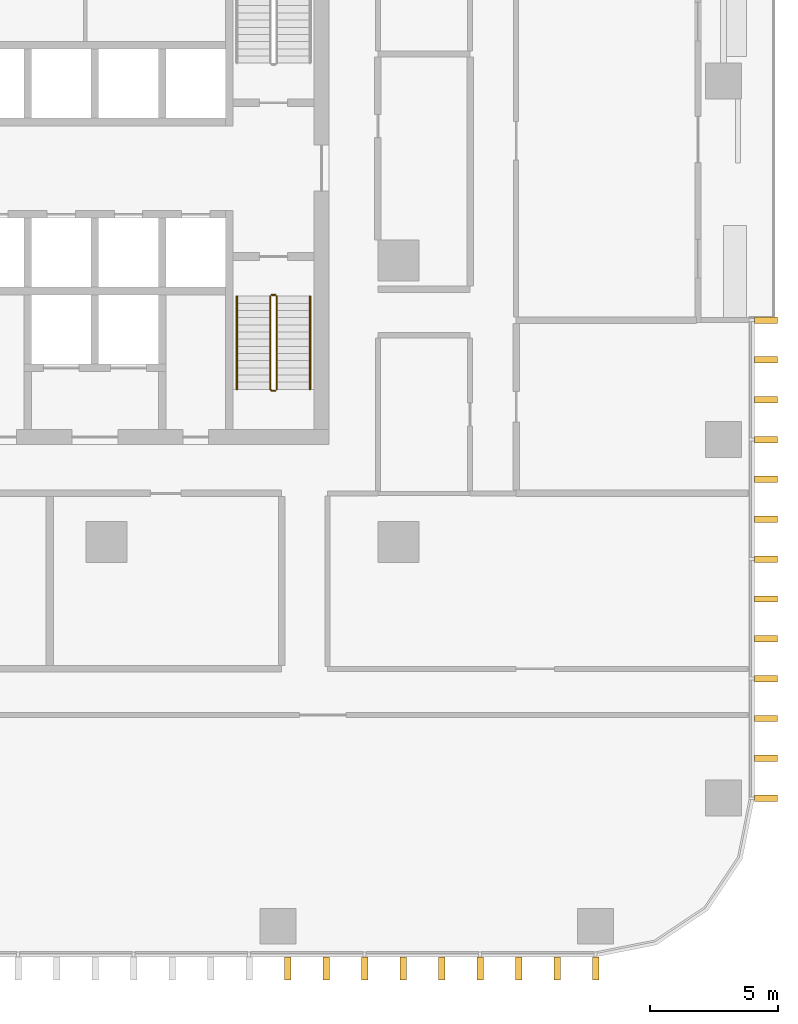
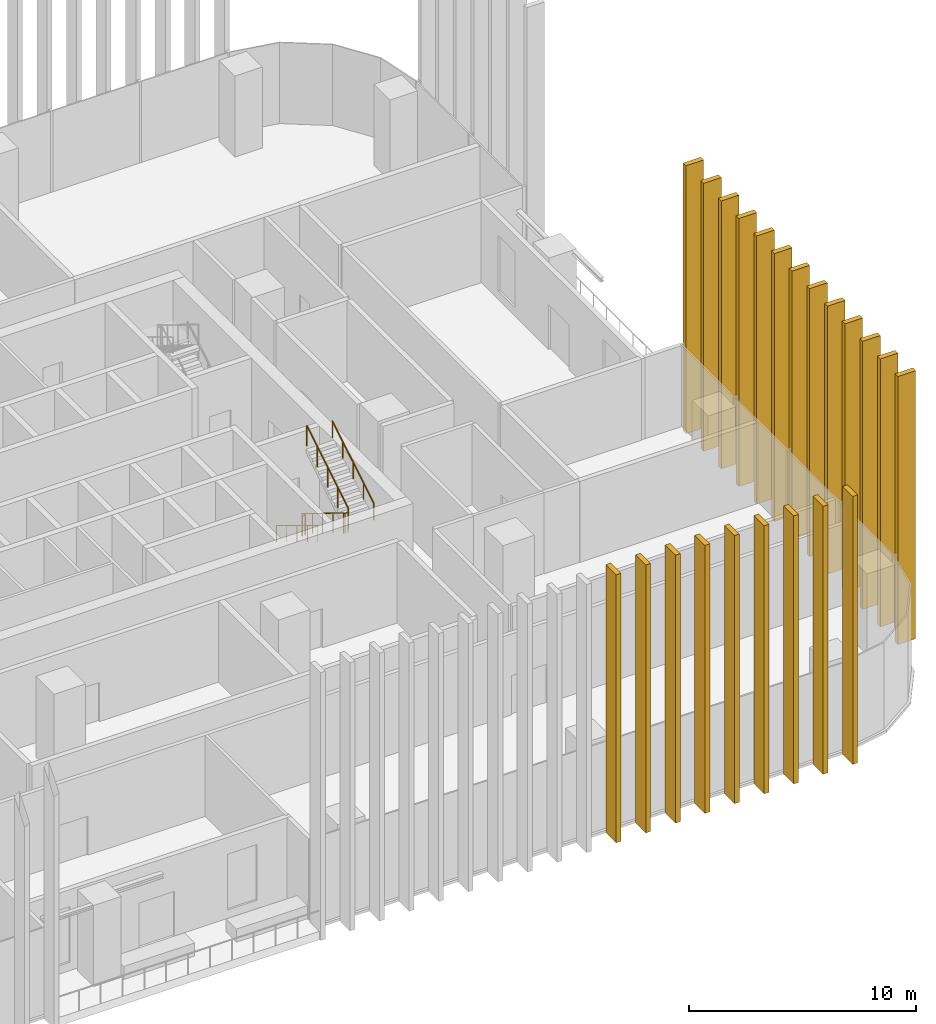
# One storey, part 13 of 16: 22 shading devices, 5 railings.
"""IFC4 building model written with IfcOpenShell, lengths in metres."""

from ifc_helpers import new_model, si_unit, direction, frame, origin, origin_2d, place, context, subcontext, project, spatial, rectangle, circle, extrude, material, type_object, element, save


model = new_model("IFC4")

# Units and contexts
model_context = context("Model", 3, precision=1e-05, world=origin(), true_north=direction((0.0, 1.0)))
body_context = subcontext(model_context, "Body", "Model", "MODEL_VIEW")
ifc_project = project(units=[si_unit("LENGTHUNIT", "METRE"), si_unit("AREAUNIT", "SQUARE_METRE"), si_unit("VOLUMEUNIT", "CUBIC_METRE"), si_unit("PLANEANGLEUNIT", "RADIAN"), si_unit("MASSUNIT", "GRAM", prefix="KILO")], contexts=[model_context])

# Site, building, storey
site_placement = place(None, origin())
site = spatial("IfcSite", under=ifc_project, at=site_placement, CompositionType="ELEMENT")
building_placement = place(site_placement, origin())
building = spatial("IfcBuilding", under=site, at=building_placement, Name="Mopane Tessera Tower", CompositionType="ELEMENT")
storey_placement = place(building_placement, frame((0.0, 0.0, 59.800048828125)))
storey = spatial("IfcBuildingStorey", under=building, at=storey_placement, Name="L11", CompositionType="ELEMENT", Elevation=59.800048828125)

# Shading devices
ifc_material_1 = material(Name="Glazed ceramic tile")
shading_device_type = type_object("IfcShadingDeviceType", Name="Ceramic tile fin 900 x 250 mm", PredefinedType="USERDEFINED", material=ifc_material_1)
for number, where, z_axis, x_axis, name in (
    (1, (12.77587890625, -27.64990234375, -0.449951171875), (0.0, 0.0, 1.0), (1.0, 0.0, 0.0), "e:fin:L11:S:8:1"),
    (2, (14.27880859375, -27.64990234375, -0.449951171875), (0.0, 0.0, 1.0), (1.0, 0.0, 0.0), "e:fin:L11:S:8:2"),
    (3, (15.78173828125, -27.64990234375, -0.449951171875), (0.0, 0.0, 1.0), (1.0, 0.0, 0.0), "e:fin:L11:S:9:0"),
    (4, (17.284912109375, -27.64990234375, -0.449951171875), (0.0, 0.0, 1.0), (1.0, 0.0, 0.0), "e:fin:L11:S:9:1"),
    (5, (18.787841796875, -27.64990234375, -0.449951171875), (0.0, 0.0, 1.0), (1.0, 0.0, 0.0), "e:fin:L11:S:9:2"),
    (6, (20.291015625, -27.64990234375, -0.449951171875), (0.0, 0.0, 1.0), (1.0, 0.0, 0.0), "e:fin:L11:S:10:0"),
    (7, (21.7939453125, -27.64990234375, -0.449951171875), (0.0, 0.0, 1.0), (1.0, 0.0, 0.0), "e:fin:L11:S:10:1"),
    (8, (23.296875, -27.64990234375, -0.449951171875), (0.0, 0.0, 1.0), (1.0, 0.0, 0.0), "e:fin:L11:S:10:2"),
    (9, (24.800048828125, -27.64990234375, -0.449951171875), (0.0, 0.0, 1.0), (1.0, 0.0, 0.0), "e:fin:L11:S:10:3"),
    (10, (31.449951171875, -21.0, -0.449951171875), (0.0, 0.0, 1.0), (0.0, 1.0, 0.0), "e:fin:L11:E:0:0"),
    (11, (31.449951171875, -19.4443359375, -0.449951171875), (0.0, 0.0, 1.0), (0.0, 1.0, 0.0), "e:fin:L11:E:0:1"),
    (12, (31.449951171875, -17.888916015625, -0.449951171875), (0.0, 0.0, 1.0), (0.0, 1.0, 0.0), "e:fin:L11:E:0:2"),
    (13, (31.449951171875, -16.333251953125, -0.449951171875), (0.0, 0.0, 1.0), (0.0, 1.0, 0.0), "e:fin:L11:E:1:0"),
    (14, (31.449951171875, -14.77783203125, -0.449951171875), (0.0, 0.0, 1.0), (0.0, 1.0, 0.0), "e:fin:L11:E:1:1"),
    (15, (31.449951171875, -13.22216796875, -0.449951171875), (0.0, 0.0, 1.0), (0.0, 1.0, 0.0), "e:fin:L11:E:1:2"),
    (16, (31.449951171875, -11.666748046875, -0.449951171875), (0.0, 0.0, 1.0), (0.0, 1.0, 0.0), "e:fin:L11:E:2:0"),
    (17, (31.449951171875, -10.111083984375, -0.449951171875), (0.0, 0.0, 1.0), (0.0, 1.0, 0.0), "e:fin:L11:E:2:1"),
    (18, (31.449951171875, -8.5556640625, -0.449951171875), (0.0, 0.0, 1.0), (0.0, 1.0, 0.0), "e:fin:L11:E:2:2"),
    (19, (31.449951171875, -7.0, -0.449951171875), (0.0, 0.0, 1.0), (0.0, 1.0, 0.0), "e:fin:L11:E:3:0"),
    (20, (31.449951171875, -5.4443359375, -0.449951171875), (0.0, 0.0, 1.0), (0.0, 1.0, 0.0), "e:fin:L11:E:3:1"),
    (21, (31.449951171875, -3.888916015625, -0.449951171875), (0.0, 0.0, 1.0), (0.0, 1.0, 0.0), "e:fin:L11:E:3:2"),
    (22, (31.449951171875, -2.333251953125, -0.449951171875), (0.0, 0.0, 1.0), (0.0, 1.0, 0.0), "e:fin:L11:E:3:3"),
):
    element("IfcShadingDevice", number, at=place(storey_placement, frame(where, z_axis=z_axis, x_axis=x_axis)), inside=storey, type_object=shading_device_type, Name=name, ObjectType="FIN", PredefinedType="USERDEFINED", context=body_context, shape_type="SweptSolid", body=[
        extrude(rectangle(XDim=0.25, YDim=0.89990234375, at=origin_2d()), origin(), (0.0, 0.0, 1.0), 14.39990234375),
    ])

# Railings
ifc_material_2 = material(Name="Powder-coated steel balustrade", Category="steel")
railing_type_1 = type_object("IfcRailingType", Name="Escape stair guard 1100 mm", PredefinedType="GUARDRAIL", material=ifc_material_2)
railing_1_placement = place(storey_placement, frame((12.10009765625, -1.39990234375, 0.17138671875)))
element("IfcRailing", 23, at=railing_1_placement, inside=storey, type_object=railing_type_1, Name="L11 ST3 stair guard 1", PredefinedType="GUARDRAIL", context=body_context, shape_type="SweptSolid", body=[
    extrude(circle(Radius=0.02392578125, at=origin_2d()), frame((0.0, 0.0, 1.076171875), z_axis=(0.0, -0.852865859571, 0.52213008492), x_axis=(1.0, 0.0, 0.0)), (0.0, 0.0, 1.0), 4.26806640625),
    extrude(circle(Radius=0.02392578125, at=origin_2d()), frame((0.0, -3.64013671875, 3.3046875), z_axis=(0.705375805398, -0.708833529934, 0.0), x_axis=(0.708833529934, 0.705375805398, 0.0)), (0.0, 0.0, 1.0), 0.070556640625),
    extrude(circle(Radius=0.02392578125, at=origin_2d()), frame((0.0498046875, -3.690185546875, 3.3046875), z_axis=(1.0, 0.0, 0.0), x_axis=(0.0, 1.0, 0.0)), (0.0, 0.0, 1.0), 0.150146484375),
    extrude(circle(Radius=0.02099609375, at=origin_2d()), origin(), (0.0, 0.0, 1.0), 1.052001953125),
    extrude(circle(Radius=0.02099609375, at=origin_2d()), frame((0.0, -0.91015625, 0.55712890625)), (0.0, 0.0, 1.0), 1.052001953125),
    extrude(circle(Radius=0.02099609375, at=origin_2d()), frame((0.0, -1.820068359375, 1.1142578125)), (0.0, 0.0, 1.0), 1.052001953125),
    extrude(circle(Radius=0.02099609375, at=origin_2d()), frame((0.0, -2.72998046875, 1.67138671875)), (0.0, 0.0, 1.0), 1.052001953125),
    extrude(circle(Radius=0.02099609375, at=origin_2d()), frame((0.0, -3.64013671875, 2.228515625)), (0.0, 0.0, 1.0), 1.052001953125),
    extrude(circle(Radius=0.02099609375, at=origin_2d()), frame((0.0498046875, -3.690185546875, 2.228515625)), (0.0, 0.0, 1.0), 1.052001953125),
    extrude(circle(Radius=0.02099609375, at=origin_2d()), frame((0.199951171875, -3.690185546875, 2.228515625)), (0.0, 0.0, 1.0), 1.052001953125),
])
railing_2_placement = place(storey_placement, frame((12.35009765625, -5.0400390625, 2.5712890625)))
element("IfcRailing", 24, at=railing_2_placement, inside=storey, type_object=railing_type_1, Name="L11 ST3 stair guard 2", PredefinedType="GUARDRAIL", context=body_context, shape_type="SweptSolid", body=[
    extrude(circle(Radius=0.02392578125, at=origin_2d()), frame((0.0, 0.0, 1.076171875), z_axis=(0.0, 0.852840387347, 0.522171689878), x_axis=(-1.0, 0.0, 0.0)), (0.0, 0.0, 1.0), 4.268310546875),
    extrude(circle(Radius=0.02099609375, at=origin_2d()), origin(), (0.0, 0.0, 1.0), 1.052001953125),
    extrude(circle(Radius=0.02099609375, at=origin_2d()), frame((0.0, 0.91015625, 0.55712890625)), (0.0, 0.0, 1.0), 1.052001953125),
    extrude(circle(Radius=0.02099609375, at=origin_2d()), frame((0.0, 1.820068359375, 1.1142578125)), (0.0, 0.0, 1.0), 1.052001953125),
    extrude(circle(Radius=0.02099609375, at=origin_2d()), frame((0.0, 2.72998046875, 1.671630859375)), (0.0, 0.0, 1.0), 1.052001953125),
    extrude(circle(Radius=0.02099609375, at=origin_2d()), frame((0.0, 3.64013671875, 2.228759765625)), (0.0, 0.0, 1.0), 1.052001953125),
])
railing_3_placement = place(storey_placement, frame((12.14990234375, -1.35009765625, 0.0)))
element("IfcRailing", 25, at=railing_3_placement, inside=storey, type_object=railing_type_1, Name="L11 ST3 stair guard 3", PredefinedType="GUARDRAIL", context=body_context, shape_type="SweptSolid", body=[
    extrude(circle(Radius=0.02392578125, at=origin_2d()), frame((0.0, 0.0, 1.076171875), z_axis=(1.0, 0.0, 0.0), x_axis=(0.0, 1.0, 0.0)), (0.0, 0.0, 1.0), 0.150146484375),
    extrude(circle(Radius=0.02099609375, at=origin_2d()), origin(), (0.0, 0.0, 1.0), 1.052001953125),
    extrude(circle(Radius=0.02099609375, at=origin_2d()), frame((0.150146484375, 0.0, 0.0)), (0.0, 0.0, 1.0), 1.052001953125),
])
ifc_material_3 = material(Name="Powder-coated steel balustrade", Category="steel")
railing_type_2 = type_object("IfcRailingType", Name="Escape stair handrail 900 mm", PredefinedType="HANDRAIL", material=ifc_material_3)
railing_4_placement = place(storey_placement, frame((10.800048828125, -1.39990234375, 0.17138671875)))
element("IfcRailing", 26, at=railing_4_placement, inside=storey, type_object=railing_type_2, Name="L11 ST3 stair handrail 1", PredefinedType="HANDRAIL", context=body_context, shape_type="SweptSolid", body=[
    extrude(circle(Radius=0.02392578125, at=origin_2d()), frame((0.0, 0.0, 0.8759765625), z_axis=(0.0, -0.852865859571, 0.52213008492), x_axis=(1.0, 0.0, 0.0)), (0.0, 0.0, 1.0), 4.26806640625),
    extrude(circle(Radius=0.02099609375, at=origin_2d()), origin(), (0.0, 0.0, 1.0), 0.851806640625),
    extrude(circle(Radius=0.02099609375, at=origin_2d()), frame((0.0, -0.91015625, 0.55712890625)), (0.0, 0.0, 1.0), 0.851806640625),
    extrude(circle(Radius=0.02099609375, at=origin_2d()), frame((0.0, -1.820068359375, 1.1142578125)), (0.0, 0.0, 1.0), 0.851806640625),
    extrude(circle(Radius=0.02099609375, at=origin_2d()), frame((0.0, -2.72998046875, 1.67138671875)), (0.0, 0.0, 1.0), 0.851806640625),
    extrude(circle(Radius=0.02099609375, at=origin_2d()), frame((0.0, -3.64013671875, 2.228515625)), (0.0, 0.0, 1.0), 0.851806640625),
])
railing_5_placement = place(storey_placement, frame((13.64990234375, -5.0400390625, 2.5712890625)))
element("IfcRailing", 27, at=railing_5_placement, inside=storey, type_object=railing_type_2, Name="L11 ST3 stair handrail 2", PredefinedType="HANDRAIL", context=body_context, shape_type="SweptSolid", body=[
    extrude(circle(Radius=0.02392578125, at=origin_2d()), frame((0.0, 0.0, 0.8759765625), z_axis=(0.0, 0.852840387347, 0.522171689878), x_axis=(-1.0, 0.0, 0.0)), (0.0, 0.0, 1.0), 4.268310546875),
    extrude(circle(Radius=0.02099609375, at=origin_2d()), origin(), (0.0, 0.0, 1.0), 0.851806640625),
    extrude(circle(Radius=0.02099609375, at=origin_2d()), frame((0.0, 0.91015625, 0.55712890625)), (0.0, 0.0, 1.0), 0.851806640625),
    extrude(circle(Radius=0.02099609375, at=origin_2d()), frame((0.0, 1.820068359375, 1.1142578125)), (0.0, 0.0, 1.0), 0.851806640625),
    extrude(circle(Radius=0.02099609375, at=origin_2d()), frame((0.0, 2.72998046875, 1.671630859375)), (0.0, 0.0, 1.0), 0.851806640625),
    extrude(circle(Radius=0.02099609375, at=origin_2d()), frame((0.0, 3.64013671875, 2.228759765625)), (0.0, 0.0, 1.0), 0.851806640625),
])

save(model, "model.ifc")
